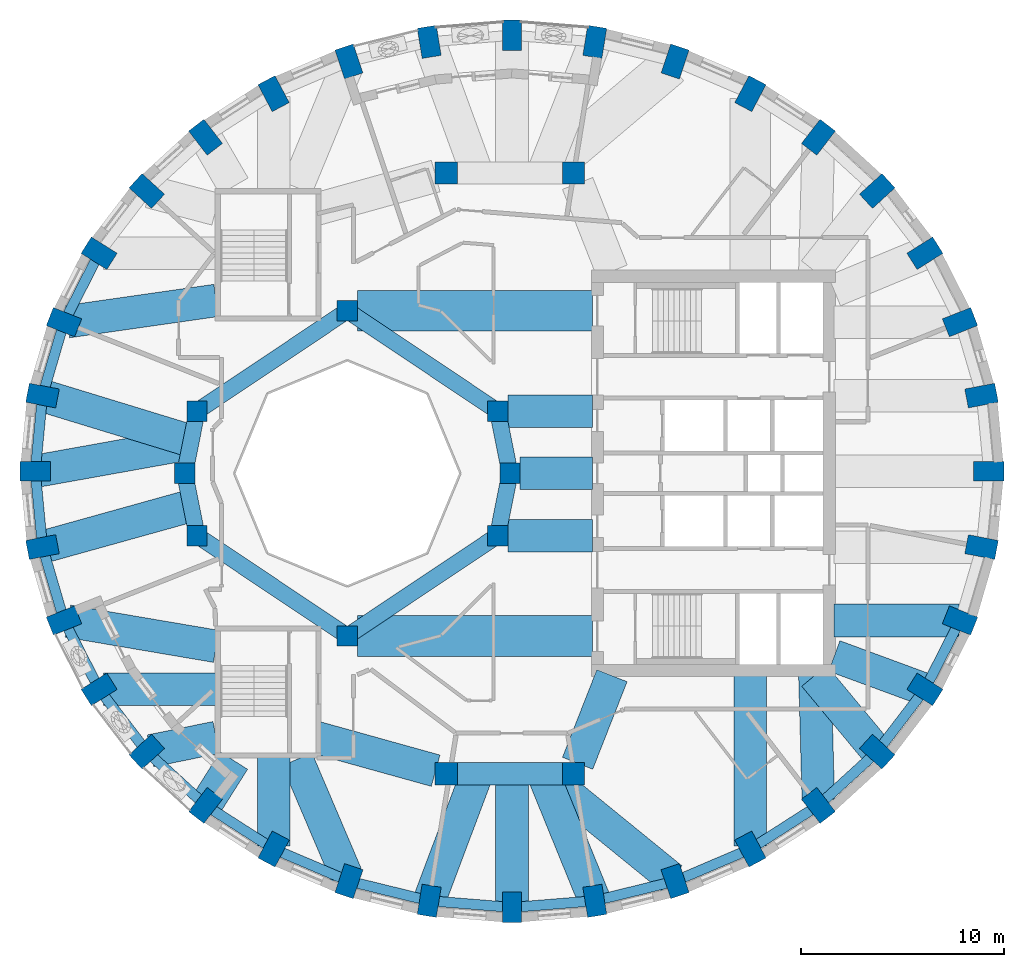
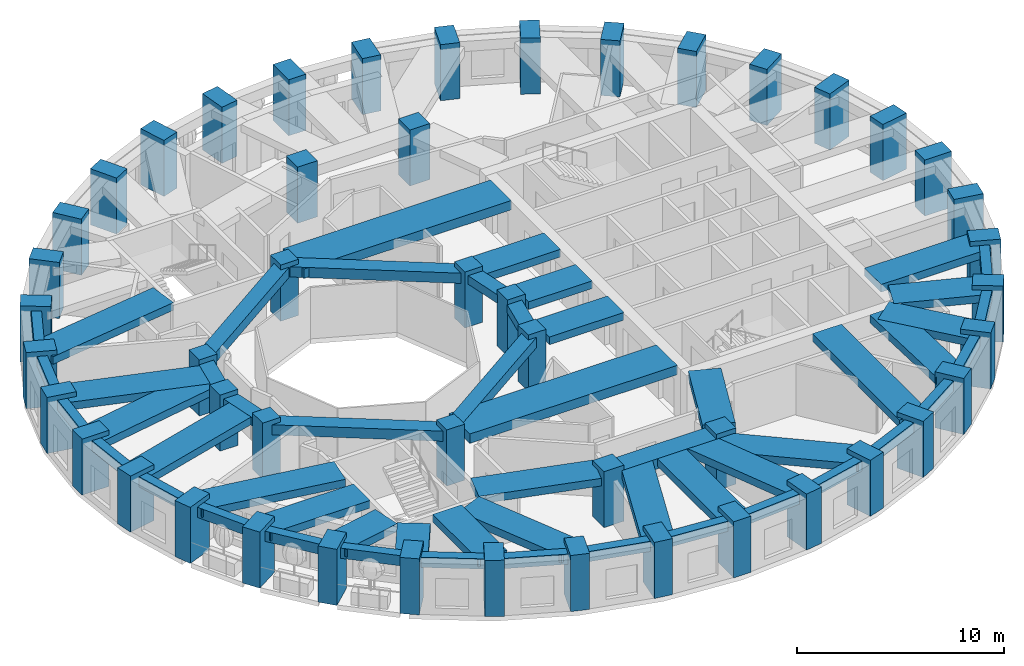
# One storey, part 1 of 11: 54 beams, 48 columns.
"""IFC4 building model written with IfcOpenShell, lengths in metres."""

from ifc_helpers import new_model, si_unit, direction, frame, origin, origin_2d, place, context, subcontext, project, spatial, rectangle, extrude, material, material_profile, profile_set, type_object, element, save


model = new_model("IFC4")

# Units and contexts
model_context = context("Model", 3, precision=1e-05, world=origin(), true_north=direction((0.0, 1.0)))
body_context = subcontext(model_context, "Body", "Model", "MODEL_VIEW")
ifc_project = project(units=[si_unit("LENGTHUNIT", "METRE"), si_unit("AREAUNIT", "SQUARE_METRE"), si_unit("VOLUMEUNIT", "CUBIC_METRE"), si_unit("PLANEANGLEUNIT", "RADIAN"), si_unit("MASSUNIT", "GRAM", prefix="KILO")], contexts=[model_context])

# Site, building, storey
site_placement = place(None, origin())
site = spatial("IfcSite", under=ifc_project, at=site_placement, CompositionType="ELEMENT")
building_placement = place(site_placement, origin())
building = spatial("IfcBuilding", under=site, at=building_placement, Name="Taillehof Tower", CompositionType="ELEMENT")
storey_placement = place(building_placement, frame((0.0, 0.0, 174.800048828125)))
storey = spatial("IfcBuildingStorey", under=building, at=storey_placement, Name="L49", CompositionType="ELEMENT", Elevation=174.800048828125)

# Columns
ifc_material_1 = material(Name="Concrete C50/60", Category="concrete")
ifc_material_profile_1 = material_profile(ifc_material_1, rectangle(XDim=1.0, YDim=1.0, at=origin_2d()), Name="RC 1000x1000")
ifc_profile_set_1 = profile_set([ifc_material_profile_1], Name="Concrete C50/60")
column_type_1 = type_object("IfcColumnType", Name="Atrium ring column C50/60 1000x1000", PredefinedType="COLUMN", material=ifc_profile_set_1)
for number, where, z_axis, x_axis, name in (
    (1, (0.0, 0.0, 0.0), (0.0, 0.0, 1.0), (1.0, 0.0, 0.0), "Column AC01"),
    (2, (-0.60888671875, 3.0615234375, 0.0), (0.0, 0.0, 1.0), (1.0, 0.0, 0.0), "Column AC02"),
    (3, (-8.0, 8.0, 0.0), (0.0, 0.0, 1.0), (1.0, 0.0, 0.0), "Column AC05"),
    (4, (-15.39111328125, 3.0615234375, 0.0), (0.0, 0.0, 1.0), (1.0, 0.0, 0.0), "Column AC08"),
    (5, (-16.0, 0.0, 0.0), (0.0, 0.0, 1.0), (1.0, 0.0, 0.0), "Column AC09"),
    (6, (-15.39111328125, -3.0615234375, 0.0), (0.0, 0.0, 1.0), (1.0, 0.0, 0.0), "Column AC10"),
    (7, (-8.0, -8.0, 0.0), (0.0, 0.0, 1.0), (1.0, 0.0, 0.0), "Column AC13"),
    (8, (-0.60888671875, -3.0615234375, 0.0), (0.0, 0.0, 1.0), (1.0, 0.0, 0.0), "Column AC16"),
):
    element("IfcColumn", number, at=place(storey_placement, frame(where, z_axis=z_axis, x_axis=x_axis)), inside=storey, type_object=column_type_1, Name=name, PredefinedType="COLUMN", context=body_context, shape_type="SweptSolid", body=[
        extrude(rectangle(XDim=1.0, YDim=1.0, at=origin_2d()), origin(), (0.0, 0.0, 1.0), 3.300048828125),
    ])
ifc_material_2 = material(Name="Concrete C50/60", Category="concrete")
ifc_material_profile_2 = material_profile(ifc_material_2, rectangle(XDim=1.10009765625, YDim=1.10009765625, at=origin_2d()), Name="RC 1100x1100")
ifc_profile_set_2 = profile_set([ifc_material_profile_2], Name="Concrete C50/60")
column_type_2 = type_object("IfcColumnType", Name="Mid-ring column C50/60 1100x1100", PredefinedType="COLUMN", material=ifc_profile_set_2)
for number, where, z_axis, x_axis, name in (
    (9, (3.125732421875, 14.772216796875, 0.0), (0.0, 0.0, 1.0), (1.0, 0.0, 0.0), "Column MC05"),
    (10, (-3.125732421875, 14.772216796875, 0.0), (0.0, 0.0, 1.0), (1.0, 0.0, 0.0), "Column MC06"),
    (11, (-3.125732421875, -14.772216796875, 0.0), (0.0, 0.0, 1.0), (1.0, 0.0, 0.0), "Column MC14"),
    (12, (3.125732421875, -14.772216796875, 0.0), (0.0, 0.0, 1.0), (1.0, 0.0, 0.0), "Column MC15"),
):
    element("IfcColumn", number, at=place(storey_placement, frame(where, z_axis=z_axis, x_axis=x_axis)), inside=storey, type_object=column_type_2, Name=name, PredefinedType="COLUMN", context=body_context, shape_type="SweptSolid", body=[
        extrude(rectangle(XDim=1.10009765625, YDim=1.10009765625, at=origin_2d()), origin(), (0.0, 0.0, 1.0), 3.300048828125),
    ])
ifc_material_3 = material(Name="Concrete C60/75", Category="concrete")
ifc_material_profile_3 = material_profile(ifc_material_3, rectangle(XDim=1.5, YDim=0.949951171875, at=origin_2d()), Name="RC 1500x950")
ifc_profile_set_3 = profile_set([ifc_material_profile_3], Name="Concrete C60/75")
column_type_3 = type_object("IfcColumnType", Name="Ring column C60/75 1500x950", PredefinedType="COLUMN", material=ifc_profile_set_3)
for number, where, z_axis, x_axis, name in (
    (13, (23.550048828125, 0.10009765625, 0.0), (0.0, 0.0, 1.0), (1.0, 0.0, 0.0), "Ring column RC01"),
    (14, (23.19384765625, 3.82470703125, 0.0), (0.0, 0.0, 1.0), (0.98202380309, 0.188757119508, 0.0), "Ring column RC02"),
    (15, (22.1357421875, 7.436279296875, 0.0), (0.0, 0.0, 1.0), (0.929511471762, 0.368793199317, 0.0), "Ring column RC03"),
    (16, (20.408203125, 10.824951171875, 0.0), (0.0, 0.0, 1.0), (0.846334224225, 0.532652213837, 0.0), "Ring column RC04"),
    (17, (18.063720703125, 13.8876953125, 0.0), (0.0, 0.0, 1.0), (0.7378786352, 0.674933418727, 0.0), "Ring column RC05"),
    (18, (15.17333984375, 16.53173828125, 0.0), (0.0, 0.0, 1.0), (0.609970500644, 0.792424121506, 0.0), "Ring column RC06"),
    (19, (11.824951171875, 18.67626953125, 0.0), (0.0, 0.0, 1.0), (0.468042101717, 0.883706167807, 0.0), "Ring column RC07"),
    (20, (8.120361328125, 20.25634765625, 0.0), (0.0, 0.0, 1.0), (0.316702950283, 0.948524771043, 0.0), "Ring column RC08"),
    (21, (4.172119140625, 21.22412109375, 0.0), (0.0, 0.0, 1.0), (0.159679090777, 0.987168976401, 0.0), "Ring column RC09"),
    (22, (0.10009765625, 21.550048828125, 0.0), (0.0, 0.0, 1.0), (0.0, 1.0, 0.0), "Ring column RC10"),
    (23, (-3.97216796875, 21.22412109375, 0.0), (0.0, 0.0, 1.0), (-0.159679090777, 0.987168976401, 0.0), "Ring column RC11"),
    (24, (-7.92041015625, 20.25634765625, 0.0), (0.0, 0.0, 1.0), (-0.316702950283, 0.948524771043, 0.0), "Ring column RC12"),
    (25, (-11.625, 18.67626953125, 0.0), (0.0, 0.0, 1.0), (-0.468042101717, 0.883706167807, 0.0), "Ring column RC13"),
    (26, (-14.973388671875, 16.53173828125, 0.0), (0.0, 0.0, 1.0), (-0.609970500644, 0.792424121506, 0.0), "Ring column RC14"),
    (27, (-17.86376953125, 13.8876953125, 0.0), (0.0, 0.0, 1.0), (-0.7378786352, 0.674933418727, 0.0), "Ring column RC15"),
    (28, (-20.208251953125, 10.824951171875, 0.0), (0.0, 0.0, 1.0), (-0.846334224225, 0.532652213837, 0.0), "Ring column RC16"),
    (29, (-21.935791015625, 7.436279296875, 0.0), (0.0, 0.0, 1.0), (-0.929511471762, 0.368793199317, 0.0), "Ring column RC17"),
    (30, (-22.99365234375, 3.82470703125, 0.0), (0.0, 0.0, 1.0), (-0.98202380309, 0.188757119508, 0.0), "Ring column RC18"),
    (31, (-23.35009765625, 0.10009765625, 0.0), (0.0, 0.0, 1.0), (-1.0, 0.0, 0.0), "Ring column RC19"),
    (32, (-22.99365234375, -3.624755859375, 0.0), (0.0, 0.0, 1.0), (-0.98202380309, -0.188757119508, 0.0), "Ring column RC20"),
    (33, (-21.935791015625, -7.236328125, 0.0), (0.0, 0.0, 1.0), (-0.929511471762, -0.368793199317, 0.0), "Ring column RC21"),
    (34, (-20.208251953125, -10.625, 0.0), (0.0, 0.0, 1.0), (-0.846334224225, -0.532652213837, 0.0), "Ring column RC22"),
    (35, (-17.86376953125, -13.687744140625, 0.0), (0.0, 0.0, 1.0), (-0.7378786352, -0.674933418727, 0.0), "Ring column RC23"),
    (36, (-14.973388671875, -16.33154296875, 0.0), (0.0, 0.0, 1.0), (-0.609970500644, -0.792424121506, 0.0), "Ring column RC24"),
    (37, (-11.625, -18.476318359375, 0.0), (0.0, 0.0, 1.0), (-0.468042101717, -0.883706167807, 0.0), "Ring column RC25"),
    (38, (-7.92041015625, -20.056396484375, 0.0), (0.0, 0.0, 1.0), (-0.316702950283, -0.948524771043, 0.0), "Ring column RC26"),
    (39, (-3.97216796875, -21.024169921875, 0.0), (0.0, 0.0, 1.0), (-0.159679090777, -0.987168976401, 0.0), "Ring column RC27"),
    (40, (0.10009765625, -21.35009765625, 0.0), (0.0, 0.0, 1.0), (0.0, -1.0, 0.0), "Ring column RC28"),
    (41, (4.172119140625, -21.024169921875, 0.0), (0.0, 0.0, 1.0), (0.159679090777, -0.987168976401, 0.0), "Ring column RC29"),
    (42, (8.120361328125, -20.056396484375, 0.0), (0.0, 0.0, 1.0), (0.316702950283, -0.948524771043, 0.0), "Ring column RC30"),
    (43, (11.824951171875, -18.476318359375, 0.0), (0.0, 0.0, 1.0), (0.468042101717, -0.883706167807, 0.0), "Ring column RC31"),
    (44, (15.17333984375, -16.33154296875, 0.0), (0.0, 0.0, 1.0), (0.609970500644, -0.792424121506, 0.0), "Ring column RC32"),
    (45, (18.063720703125, -13.687744140625, 0.0), (0.0, 0.0, 1.0), (0.7378786352, -0.674933418727, 0.0), "Ring column RC33"),
    (46, (20.408203125, -10.625, 0.0), (0.0, 0.0, 1.0), (0.846334224225, -0.532652213837, 0.0), "Ring column RC34"),
    (47, (22.1357421875, -7.236328125, 0.0), (0.0, 0.0, 1.0), (0.929511471762, -0.368793199317, 0.0), "Ring column RC35"),
    (48, (23.19384765625, -3.624755859375, 0.0), (0.0, 0.0, 1.0), (0.98202380309, -0.188757119508, 0.0), "Ring column RC36"),
):
    element("IfcColumn", number, at=place(storey_placement, frame(where, z_axis=z_axis, x_axis=x_axis)), inside=storey, type_object=column_type_3, Name=name, PredefinedType="COLUMN", context=body_context, shape_type="SweptSolid", body=[
        extrude(rectangle(XDim=1.5, YDim=0.949951171875, at=origin_2d()), origin(), (0.0, 0.0, 1.0), 3.300048828125),
    ])

# Beams
ifc_material_4 = material(Name="Concrete C50/60", Category="concrete")
ifc_material_profile_4 = material_profile(ifc_material_4, rectangle(XDim=0.800048828125, YDim=0.5, at=origin_2d()), Name="RC 800x500")
ifc_profile_set_4 = profile_set([ifc_material_profile_4], Name="Concrete C50/60")
beam_type_1 = type_object("IfcBeamType", Name="Atrium ring beam C50/60 800x500", PredefinedType="BEAM", material=ifc_profile_set_4)
for number, where, z_axis, x_axis, name in (
    (49, (0.0, 0.0, 2.77001953125), (-0.195063155143, 0.980790683839, 0.0), (-0.980790683839, -0.195063155143, 0.0), "Atrium ring beam AB01"),
    (50, (-15.39111328125, 3.0615234375, 2.77001953125), (-0.195063155143, -0.980790683839, 0.0), (0.980790683839, -0.195063155143, 0.0), "Atrium ring beam AB04"),
    (51, (-16.0, 0.0, 2.77001953125), (0.195063155143, -0.980790683839, 0.0), (0.980790683839, 0.195063155143, 0.0), "Atrium ring beam AB05"),
    (52, (-0.60888671875, -3.0615234375, 2.77001953125), (0.195063155143, 0.980790683839, 0.0), (-0.980790683839, 0.195063155143, 0.0), "Atrium ring beam AB08"),
):
    element("IfcBeam", number, at=place(storey_placement, frame(where, z_axis=z_axis, x_axis=x_axis)), inside=storey, type_object=beam_type_1, Name=name, PredefinedType="BEAM", context=body_context, shape_type="SweptSolid", body=[
        extrude(rectangle(XDim=0.800048828125, YDim=0.5, at=origin_2d()), origin(), (0.0, 0.0, 1.0), 3.12158203125),
    ])
ifc_material_5 = material(Name="Concrete C50/60", Category="concrete")
ifc_material_profile_5 = material_profile(ifc_material_5, rectangle(XDim=0.800048828125, YDim=0.60009765625, at=origin_2d()), Name="RC 800x600")
ifc_profile_set_5 = profile_set([ifc_material_profile_5], Name="Concrete C50/60")
beam_type_2 = type_object("IfcBeamType", Name="Atrium ring beam C50/60 800x600", PredefinedType="BEAM", material=ifc_profile_set_5)
for number, where, z_axis, x_axis, name in (
    (53, (-0.60888671875, 3.0615234375, 2.719970703125), (-0.831475195687, 0.555561876804, 0.0), (-0.555561876804, -0.831475195687, 0.0), "Atrium ring beam AB02"),
    (54, (-8.0, 8.0, 2.719970703125), (-0.831475195687, -0.555561876804, 0.0), (0.555561876804, -0.831475195687, 0.0), "Atrium ring beam AB03"),
    (55, (-15.39111328125, -3.0615234375, 2.719970703125), (0.831475195687, -0.555561876804, 0.0), (0.555561876804, 0.831475195687, 0.0), "Atrium ring beam AB06"),
    (56, (-8.0, -8.0, 2.719970703125), (0.831475195687, 0.555561876804, 0.0), (-0.555561876804, 0.831475195687, 0.0), "Atrium ring beam AB07"),
):
    element("IfcBeam", number, at=place(storey_placement, frame(where, z_axis=z_axis, x_axis=x_axis)), inside=storey, type_object=beam_type_2, Name=name, PredefinedType="BEAM", context=body_context, shape_type="SweptSolid", body=[
        extrude(rectangle(XDim=0.800048828125, YDim=0.60009765625, at=origin_2d()), origin(), (0.0, 0.0, 1.0), 8.88916015625),
    ])
ifc_material_6 = material(Name="Concrete C50/60", Category="concrete")
ifc_material_profile_6 = material_profile(ifc_material_6, rectangle(XDim=1.10009765625, YDim=0.60009765625, at=origin_2d()), Name="RC 1100x600")
ifc_profile_set_6 = profile_set([ifc_material_profile_6], Name="Concrete C50/60")
beam_type_3 = type_object("IfcBeamType", Name="Mid-ring beam C50/60 1100x600", PredefinedType="BEAM", material=ifc_profile_set_6)
beam_1_placement = place(storey_placement, frame((-3.125732421875, -14.772216796875, 2.719970703125), z_axis=(1.0, 0.0, 0.0), x_axis=(0.0, 1.0, 0.0)))
element("IfcBeam", 57, at=beam_1_placement, inside=storey, type_object=beam_type_3, Name="Mid-ring beam MB02", PredefinedType="BEAM", context=body_context, shape_type="SweptSolid", body=[
    extrude(rectangle(XDim=1.10009765625, YDim=0.60009765625, at=origin_2d()), origin(), (0.0, 0.0, 1.0), 6.25146484375),
])
ifc_material_7 = material(Name="Concrete C50/60", Category="concrete")
ifc_material_profile_7 = material_profile(ifc_material_7, rectangle(XDim=1.60009765625, YDim=0.449951171875, at=origin_2d()), Name="RC 1600x450")
ifc_profile_set_7 = profile_set([ifc_material_profile_7], Name="Concrete C50/60")
beam_type_4 = type_object("IfcBeamType", Name="Radial band beam C50/60 1600x450", PredefinedType="BEAM", material=ifc_profile_set_7)
beam_2_placement = place(storey_placement, frame((-21.766845703125, 7.46044921875, 2.794921875), z_axis=(0.989922388732, 0.141610961042, 0.0), x_axis=(-0.141610961042, 0.989922388732, 0.0)))
element("IfcBeam", 58, at=beam_2_placement, inside=storey, type_object=beam_type_4, Name="Radial band beam RB17", PredefinedType="BEAM", context=body_context, shape_type="SweptSolid", body=[
    extrude(rectangle(XDim=1.60009765625, YDim=0.449951171875, at=origin_2d()), origin(), (0.0, 0.0, 1.0), 7.390869140625),
])
beam_3_placement = place(storey_placement, frame((-22.99365234375, 3.82470703125, 2.794921875), z_axis=(0.956324293447, -0.292307792854, 0.0), x_axis=(0.292307792854, 0.956324293447, 0.0)))
element("IfcBeam", 59, at=beam_3_placement, inside=storey, type_object=beam_type_4, Name="Radial band beam RB18", PredefinedType="BEAM", context=body_context, shape_type="SweptSolid", body=[
    extrude(rectangle(XDim=1.60009765625, YDim=0.449951171875, at=origin_2d()), origin(), (0.0, 0.0, 1.0), 7.643798828125),
])
beam_4_placement = place(storey_placement, frame((-23.35009765625, 0.10009765625, 2.794921875), z_axis=(0.984286763882, 0.176577366745, 0.0), x_axis=(-0.176577366745, 0.984286763882, 0.0)))
element("IfcBeam", 60, at=beam_4_placement, inside=storey, type_object=beam_type_4, Name="Radial band beam RB19", PredefinedType="BEAM", context=body_context, shape_type="SweptSolid", body=[
    extrude(rectangle(XDim=1.60009765625, YDim=0.449951171875, at=origin_2d()), origin(), (0.0, 0.0, 1.0), 7.764892578125),
])
beam_5_placement = place(storey_placement, frame((-22.99365234375, -3.624755859375, 2.794921875), z_axis=(0.96338688135, 0.268115118639, 0.0), x_axis=(-0.268115118639, 0.96338688135, 0.0)))
element("IfcBeam", 61, at=beam_5_placement, inside=storey, type_object=beam_type_4, Name="Radial band beam RB20", PredefinedType="BEAM", context=body_context, shape_type="SweptSolid", body=[
    extrude(rectangle(XDim=1.60009765625, YDim=0.449951171875, at=origin_2d()), origin(), (0.0, 0.0, 1.0), 7.587890625),
])
beam_6_placement = place(storey_placement, frame((-21.744140625, -7.268798828125, 2.794921875), z_axis=(0.985864460395, -0.167544817079, 0.0), x_axis=(0.167544817079, 0.985864460395, 0.0)))
element("IfcBeam", 62, at=beam_6_placement, inside=storey, type_object=beam_type_4, Name="Radial band beam RB21", PredefinedType="BEAM", context=body_context, shape_type="SweptSolid", body=[
    extrude(rectangle(XDim=1.60009765625, YDim=0.449951171875, at=origin_2d()), origin(), (0.0, 0.0, 1.0), 7.39794921875),
])
beam_7_placement = place(storey_placement, frame((-19.9990234375, -10.625, 2.794921875), z_axis=(1.0, 0.0, 0.0), x_axis=(0.0, 1.0, 0.0)))
element("IfcBeam", 63, at=beam_7_placement, inside=storey, type_object=beam_type_4, Name="Radial band beam RB22", PredefinedType="BEAM", context=body_context, shape_type="SweptSolid", body=[
    extrude(rectangle(XDim=1.60009765625, YDim=0.449951171875, at=origin_2d()), origin(), (0.0, 0.0, 1.0), 5.549072265625),
])
beam_8_placement = place(storey_placement, frame((-17.678955078125, -13.64990234375, 2.794921875), z_axis=(0.979736748385, 0.200289550059, 0.0), x_axis=(-0.200289550059, 0.979736748385, 0.0)))
element("IfcBeam", 64, at=beam_8_placement, inside=storey, type_object=beam_type_4, Name="Radial band beam RB23", PredefinedType="BEAM", context=body_context, shape_type="SweptSolid", body=[
    extrude(rectangle(XDim=1.60009765625, YDim=0.449951171875, at=origin_2d()), origin(), (0.0, 0.0, 1.0), 3.294677734375),
])
beam_9_placement = place(storey_placement, frame((-14.973388671875, -16.33154296875, 2.794921875), z_axis=(0.534207803896, 0.845353193794, 0.0), x_axis=(-0.845353193794, 0.534207803896, 0.0)))
element("IfcBeam", 65, at=beam_9_placement, inside=storey, type_object=beam_type_4, Name="Radial band beam RB24", PredefinedType="BEAM", context=body_context, shape_type="SweptSolid", body=[
    extrude(rectangle(XDim=1.60009765625, YDim=0.449951171875, at=origin_2d()), origin(), (0.0, 0.0, 1.0), 2.608154296875),
])
beam_10_placement = place(storey_placement, frame((-11.625, -18.33642578125, 2.794921875), z_axis=(0.0, 1.0, 0.0), x_axis=(-1.0, 0.0, 0.0)))
element("IfcBeam", 66, at=beam_10_placement, inside=storey, type_object=beam_type_4, Name="Radial band beam RB25", PredefinedType="BEAM", context=body_context, shape_type="SweptSolid", body=[
    extrude(rectangle(XDim=1.60009765625, YDim=0.449951171875, at=origin_2d()), origin(), (0.0, 0.0, 1.0), 4.386474609375),
])
beam_11_placement = place(storey_placement, frame((-8.049072265625, -19.75390625, 2.794921875), z_axis=(-0.391879389257, 0.9200166, 0.0), x_axis=(-0.9200166, -0.391879389257, 0.0)))
element("IfcBeam", 67, at=beam_11_placement, inside=storey, type_object=beam_type_4, Name="Radial band beam RB26", PredefinedType="BEAM", context=body_context, shape_type="SweptSolid", body=[
    extrude(rectangle(XDim=1.60009765625, YDim=0.449951171875, at=origin_2d()), origin(), (0.0, 0.0, 1.0), 6.18505859375),
])
beam_12_placement = place(storey_placement, frame((-3.97216796875, -21.024169921875, 2.794921875), z_axis=(0.351379850477, 0.936232984186, 0.0), x_axis=(-0.936232984186, 0.351379850477, 0.0)))
element("IfcBeam", 68, at=beam_12_placement, inside=storey, type_object=beam_type_4, Name="Radial band beam RB27", PredefinedType="BEAM", context=body_context, shape_type="SweptSolid", body=[
    extrude(rectangle(XDim=1.60009765625, YDim=0.449951171875, at=origin_2d()), origin(), (0.0, 0.0, 1.0), 6.677734375),
])
beam_13_placement = place(storey_placement, frame((0.10009765625, -21.35009765625, 2.794921875), z_axis=(0.0, 1.0, 0.0), x_axis=(-1.0, 0.0, 0.0)))
element("IfcBeam", 69, at=beam_13_placement, inside=storey, type_object=beam_type_4, Name="Radial band beam RB28", PredefinedType="BEAM", context=body_context, shape_type="SweptSolid", body=[
    extrude(rectangle(XDim=1.60009765625, YDim=0.449951171875, at=origin_2d()), origin(), (0.0, 0.0, 1.0), 6.577880859375),
])
beam_14_placement = place(storey_placement, frame((4.172119140625, -21.024169921875, 2.794921875), z_axis=(-0.377207279938, 0.926128861424, 0.0), x_axis=(-0.926128861424, -0.377207279938, 0.0)))
element("IfcBeam", 70, at=beam_14_placement, inside=storey, type_object=beam_type_4, Name="Radial band beam RB29", PredefinedType="BEAM", context=body_context, shape_type="SweptSolid", body=[
    extrude(rectangle(XDim=1.60009765625, YDim=0.449951171875, at=origin_2d()), origin(), (0.0, 0.0, 1.0), 6.750732421875),
])
beam_15_placement = place(storey_placement, frame((7.95556640625, -19.92236328125, 2.794921875), z_axis=(-0.775687012842, 0.631117784655, 0.0), x_axis=(-0.631117784655, -0.775687012842, 0.0)))
element("IfcBeam", 71, at=beam_15_placement, inside=storey, type_object=beam_type_4, Name="Radial band beam RB30", PredefinedType="BEAM", context=body_context, shape_type="SweptSolid", body=[
    extrude(rectangle(XDim=1.60009765625, YDim=0.449951171875, at=origin_2d()), origin(), (0.0, 0.0, 1.0), 8.048583984375),
])
beam_16_placement = place(storey_placement, frame((11.824951171875, -18.33642578125, 2.794921875), z_axis=(0.0, 1.0, 0.0), x_axis=(-1.0, 0.0, 0.0)))
element("IfcBeam", 72, at=beam_16_placement, inside=storey, type_object=beam_type_4, Name="Radial band beam RB31", PredefinedType="BEAM", context=body_context, shape_type="SweptSolid", body=[
    extrude(rectangle(XDim=1.60009765625, YDim=0.449951171875, at=origin_2d()), origin(), (0.0, 0.0, 1.0), 8.386474609375),
])
beam_17_placement = place(storey_placement, frame((15.166015625, -16.060546875, 2.794921875), z_axis=(-0.027397917621, 0.999624606595, 0.0), x_axis=(-0.999624606595, -0.027397917621, 0.0)))
element("IfcBeam", 73, at=beam_17_placement, inside=storey, type_object=beam_type_4, Name="Radial band beam RB32", PredefinedType="BEAM", context=body_context, shape_type="SweptSolid", body=[
    extrude(rectangle(XDim=1.60009765625, YDim=0.449951171875, at=origin_2d()), origin(), (0.0, 0.0, 1.0), 6.11279296875),
])
beam_18_placement = place(storey_placement, frame((18.063720703125, -13.687744140625, 2.794921875), z_axis=(-0.639018777093, 0.769191135234, 0.0), x_axis=(-0.769191135234, -0.639018777093, 0.0)))
element("IfcBeam", 74, at=beam_18_placement, inside=storey, type_object=beam_type_4, Name="Radial band beam RB33", PredefinedType="BEAM", context=body_context, shape_type="SweptSolid", body=[
    extrude(rectangle(XDim=1.60009765625, YDim=0.449951171875, at=origin_2d()), origin(), (0.0, 0.0, 1.0), 4.844482421875),
])
beam_19_placement = place(storey_placement, frame((20.408203125, -10.625, 2.794921875), z_axis=(-0.938275503033, 0.345888826661, 0.0), x_axis=(-0.345888826661, -0.938275503033, 0.0)))
element("IfcBeam", 75, at=beam_19_placement, inside=storey, type_object=beam_type_4, Name="Radial band beam RB34", PredefinedType="BEAM", context=body_context, shape_type="SweptSolid", body=[
    extrude(rectangle(XDim=1.60009765625, YDim=0.449951171875, at=origin_2d()), origin(), (0.0, 0.0, 1.0), 4.748046875),
])
beam_20_placement = place(storey_placement, frame((22.08642578125, -7.236328125, 2.794921875), z_axis=(-1.0, 0.0, 0.0), x_axis=(0.0, -1.0, 0.0)))
element("IfcBeam", 76, at=beam_20_placement, inside=storey, type_object=beam_type_4, Name="Radial band beam RB35", PredefinedType="BEAM", context=body_context, shape_type="SweptSolid", body=[
    extrude(rectangle(XDim=1.60009765625, YDim=0.449951171875, at=origin_2d()), origin(), (0.0, 0.0, 1.0), 6.136474609375),
])
beam_21_placement = place(storey_placement, frame((0.5, 0.0, 2.794921875), z_axis=(1.0, 0.0, 0.0), x_axis=(0.0, 1.0, 0.0)))
element("IfcBeam", 77, at=beam_21_placement, inside=storey, type_object=beam_type_4, Name="Inner band beam IB101", PredefinedType="BEAM", context=body_context, shape_type="SweptSolid", body=[
    extrude(rectangle(XDim=1.60009765625, YDim=0.449951171875, at=origin_2d()), origin(), (0.0, 0.0, 1.0), 3.550048828125),
])
for number, where, z_axis, x_axis, name in (
    (78, (-0.10888671875, 3.0615234375, 2.794921875), (1.0, 0.0, 0.0), (0.0, 1.0, 0.0), "Inner band beam IB102"),
    (79, (-0.10888671875, -3.0615234375, 2.794921875), (1.0, 0.0, 0.0), (0.0, 1.0, 0.0), "Inner band beam IB116"),
):
    element("IfcBeam", number, at=place(storey_placement, frame(where, z_axis=z_axis, x_axis=x_axis)), inside=storey, type_object=beam_type_4, Name=name, PredefinedType="BEAM", context=body_context, shape_type="SweptSolid", body=[
        extrude(rectangle(XDim=1.60009765625, YDim=0.449951171875, at=origin_2d()), origin(), (0.0, 0.0, 1.0), 4.158935546875),
    ])
beam_22_placement = place(storey_placement, frame((-3.655517578125, -14.624755859375, 2.794921875), z_axis=(-0.963459369536, 0.267854518821, 0.0), x_axis=(-0.267854518821, -0.963459369536, 0.0)))
element("IfcBeam", 80, at=beam_22_placement, inside=storey, type_object=beam_type_4, Name="Inner band beam IB214", PredefinedType="BEAM", context=body_context, shape_type="SweptSolid", body=[
    extrude(rectangle(XDim=1.60009765625, YDim=0.449951171875, at=origin_2d()), origin(), (0.0, 0.0, 1.0), 6.096923828125),
])
beam_23_placement = place(storey_placement, frame((3.32666015625, -14.26025390625, 2.794921875), z_axis=(0.365588707223, 0.930776502255, 0.0), x_axis=(-0.930776502255, 0.365588707223, 0.0)))
element("IfcBeam", 81, at=beam_23_placement, inside=storey, type_object=beam_type_4, Name="Inner band beam IB215", PredefinedType="BEAM", context=body_context, shape_type="SweptSolid", body=[
    extrude(rectangle(XDim=1.60009765625, YDim=0.449951171875, at=origin_2d()), origin(), (0.0, 0.0, 1.0), 4.627197265625),
])
ifc_material_8 = material(Name="Concrete C50/60", Category="concrete")
ifc_material_profile_8 = material_profile(ifc_material_8, rectangle(XDim=2.0, YDim=0.550048828125, at=origin_2d()), Name="RC 2000x550")
ifc_profile_set_8 = profile_set([ifc_material_profile_8], Name="Concrete C50/60")
beam_type_5 = type_object("IfcBeamType", Name="Radial band beam C50/60 2000x550", PredefinedType="BEAM", material=ifc_profile_set_8)
for number, where, z_axis, x_axis, name in (
    (82, (-7.5, 8.0, 2.744873046875), (1.0, 0.0, 0.0), (0.0, 1.0, 0.0), "Inner band beam IB105"),
    (83, (-7.5, -8.0, 2.744873046875), (1.0, 0.0, 0.0), (0.0, 1.0, 0.0), "Inner band beam IB113"),
):
    element("IfcBeam", number, at=place(storey_placement, frame(where, z_axis=z_axis, x_axis=x_axis)), inside=storey, type_object=beam_type_5, Name=name, PredefinedType="BEAM", context=body_context, shape_type="SweptSolid", body=[
        extrude(rectangle(XDim=2.0, YDim=0.550048828125, at=origin_2d()), origin(), (0.0, 0.0, 1.0), 11.550048828125),
    ])
ifc_material_9 = material(Name="Concrete C50/60", Category="concrete")
ifc_material_profile_9 = material_profile(ifc_material_9, rectangle(XDim=0.5, YDim=0.60009765625, at=origin_2d()), Name="RC 500x600")
ifc_profile_set_9 = profile_set([ifc_material_profile_9], Name="Concrete C50/60")
beam_type_6 = type_object("IfcBeamType", Name="Spandrel beam C50/60 500x600", PredefinedType="SPANDREL", material=ifc_profile_set_9)
beam_24_placement = place(storey_placement, frame((-20.208251953125, 10.824951171875, 2.719970703125), z_axis=(-0.454183451696, -0.890908183937, 0.0), x_axis=(0.890908183937, -0.454183451696, 0.0)))
element("IfcBeam", 84, at=beam_24_placement, inside=storey, type_object=beam_type_6, Name="Spandrel beam SB16", PredefinedType="SPANDREL", context=body_context, shape_type="SweptSolid", body=[
    extrude(rectangle(XDim=0.5, YDim=0.60009765625, at=origin_2d()), origin(), (0.0, 0.0, 1.0), 3.8037109375),
])
beam_25_placement = place(storey_placement, frame((-21.935791015625, 7.436279296875, 2.719970703125), z_axis=(-0.281098416478, -0.959678946447, 0.0), x_axis=(0.959678946447, -0.281098416478, 0.0)))
element("IfcBeam", 85, at=beam_25_placement, inside=storey, type_object=beam_type_6, Name="Spandrel beam SB17", PredefinedType="SPANDREL", context=body_context, shape_type="SweptSolid", body=[
    extrude(rectangle(XDim=0.5, YDim=0.60009765625, at=origin_2d()), origin(), (0.0, 0.0, 1.0), 3.763427734375),
])
beam_26_placement = place(storey_placement, frame((-22.99365234375, 3.82470703125, 2.719970703125), z_axis=(-0.095264805358, -0.995451966124, 0.0), x_axis=(0.995451966124, -0.095264805358, 0.0)))
element("IfcBeam", 86, at=beam_26_placement, inside=storey, type_object=beam_type_6, Name="Spandrel beam SB18", PredefinedType="SPANDREL", context=body_context, shape_type="SweptSolid", body=[
    extrude(rectangle(XDim=0.5, YDim=0.60009765625, at=origin_2d()), origin(), (0.0, 0.0, 1.0), 3.74169921875),
])
beam_27_placement = place(storey_placement, frame((-23.35009765625, 0.10009765625, 2.719970703125), z_axis=(0.095258618013, -0.995452558234, 0.0), x_axis=(0.995452558234, 0.095258618013, 0.0)))
element("IfcBeam", 87, at=beam_27_placement, inside=storey, type_object=beam_type_6, Name="Spandrel beam SB19", PredefinedType="SPANDREL", context=body_context, shape_type="SweptSolid", body=[
    extrude(rectangle(XDim=0.5, YDim=0.60009765625, at=origin_2d()), origin(), (0.0, 0.0, 1.0), 3.741943359375),
])
beam_28_placement = place(storey_placement, frame((-22.99365234375, -3.624755859375, 2.719970703125), z_axis=(0.281098416478, -0.959678946447, 0.0), x_axis=(0.959678946447, 0.281098416478, 0.0)))
element("IfcBeam", 88, at=beam_28_placement, inside=storey, type_object=beam_type_6, Name="Spandrel beam SB20", PredefinedType="SPANDREL", context=body_context, shape_type="SweptSolid", body=[
    extrude(rectangle(XDim=0.5, YDim=0.60009765625, at=origin_2d()), origin(), (0.0, 0.0, 1.0), 3.763427734375),
])
beam_29_placement = place(storey_placement, frame((-21.935791015625, -7.236328125, 2.719970703125), z_axis=(0.454183451696, -0.890908183937, 0.0), x_axis=(0.890908183937, 0.454183451696, 0.0)))
element("IfcBeam", 89, at=beam_29_placement, inside=storey, type_object=beam_type_6, Name="Spandrel beam SB21", PredefinedType="SPANDREL", context=body_context, shape_type="SweptSolid", body=[
    extrude(rectangle(XDim=0.5, YDim=0.60009765625, at=origin_2d()), origin(), (0.0, 0.0, 1.0), 3.8037109375),
])
beam_30_placement = place(storey_placement, frame((-20.208251953125, -10.625, 2.719970703125), z_axis=(0.60784004271, -0.794059495553, 0.0), x_axis=(0.794059495553, 0.60784004271, 0.0)))
element("IfcBeam", 90, at=beam_30_placement, inside=storey, type_object=beam_type_6, Name="Spandrel beam SB22", PredefinedType="SPANDREL", context=body_context, shape_type="SweptSolid", body=[
    extrude(rectangle(XDim=0.5, YDim=0.60009765625, at=origin_2d()), origin(), (0.0, 0.0, 1.0), 3.857177734375),
])
beam_31_placement = place(storey_placement, frame((-17.86376953125, -13.687744140625, 2.719970703125), z_axis=(0.737880696592, -0.674931165081, 0.0), x_axis=(0.674931165081, 0.737880696592, 0.0)))
element("IfcBeam", 91, at=beam_31_placement, inside=storey, type_object=beam_type_6, Name="Spandrel beam SB23", PredefinedType="SPANDREL", context=body_context, shape_type="SweptSolid", body=[
    extrude(rectangle(XDim=0.5, YDim=0.60009765625, at=origin_2d()), origin(), (0.0, 0.0, 1.0), 3.917236328125),
])
beam_32_placement = place(storey_placement, frame((-14.973388671875, -16.33154296875, 2.719970703125), z_axis=(0.842065054946, -0.539375975771, 0.0), x_axis=(0.539375975771, 0.842065054946, 0.0)))
element("IfcBeam", 92, at=beam_32_placement, inside=storey, type_object=beam_type_6, Name="Spandrel beam SB24", PredefinedType="SPANDREL", context=body_context, shape_type="SweptSolid", body=[
    extrude(rectangle(XDim=0.5, YDim=0.60009765625, at=origin_2d()), origin(), (0.0, 0.0, 1.0), 3.976318359375),
])
beam_33_placement = place(storey_placement, frame((-11.625, -18.476318359375, 2.719970703125), z_axis=(0.919827173659, -0.392323808351, 0.0), x_axis=(0.392323808351, 0.919827173659, 0.0)))
element("IfcBeam", 93, at=beam_33_placement, inside=storey, type_object=beam_type_6, Name="Spandrel beam SB25", PredefinedType="SPANDREL", context=body_context, shape_type="SweptSolid", body=[
    extrude(rectangle(XDim=0.5, YDim=0.60009765625, at=origin_2d()), origin(), (0.0, 0.0, 1.0), 4.027587890625),
])
beam_34_placement = place(storey_placement, frame((-7.92041015625, -20.056396484375, 2.719970703125), z_axis=(0.971248584585, -0.238067610023, 0.0), x_axis=(0.238067610023, 0.971248584585, 0.0)))
element("IfcBeam", 94, at=beam_34_placement, inside=storey, type_object=beam_type_6, Name="Spandrel beam SB26", PredefinedType="SPANDREL", context=body_context, shape_type="SweptSolid", body=[
    extrude(rectangle(XDim=0.5, YDim=0.60009765625, at=origin_2d()), origin(), (0.0, 0.0, 1.0), 4.065185546875),
])
beam_35_placement = place(storey_placement, frame((-3.97216796875, -21.024169921875, 2.719970703125), z_axis=(0.996812427616, -0.079780850771, 0.0), x_axis=(0.079780850771, 0.996812427616, 0.0)))
element("IfcBeam", 95, at=beam_35_placement, inside=storey, type_object=beam_type_6, Name="Spandrel beam SB27", PredefinedType="SPANDREL", context=body_context, shape_type="SweptSolid", body=[
    extrude(rectangle(XDim=0.5, YDim=0.60009765625, at=origin_2d()), origin(), (0.0, 0.0, 1.0), 4.085205078125),
])
beam_36_placement = place(storey_placement, frame((0.10009765625, -21.35009765625, 2.719970703125), z_axis=(0.996812047205, 0.079785603634, 0.0), x_axis=(-0.079785603634, 0.996812047205, 0.0)))
element("IfcBeam", 96, at=beam_36_placement, inside=storey, type_object=beam_type_6, Name="Spandrel beam SB28", PredefinedType="SPANDREL", context=body_context, shape_type="SweptSolid", body=[
    extrude(rectangle(XDim=0.5, YDim=0.60009765625, at=origin_2d()), origin(), (0.0, 0.0, 1.0), 4.0849609375),
])
beam_37_placement = place(storey_placement, frame((4.172119140625, -21.024169921875, 2.719970703125), z_axis=(0.971248584585, 0.238067610023, 0.0), x_axis=(-0.238067610023, 0.971248584585, 0.0)))
element("IfcBeam", 97, at=beam_37_placement, inside=storey, type_object=beam_type_6, Name="Spandrel beam SB29", PredefinedType="SPANDREL", context=body_context, shape_type="SweptSolid", body=[
    extrude(rectangle(XDim=0.5, YDim=0.60009765625, at=origin_2d()), origin(), (0.0, 0.0, 1.0), 4.065185546875),
])
beam_38_placement = place(storey_placement, frame((8.120361328125, -20.056396484375, 2.719970703125), z_axis=(0.919827173659, 0.392323808351, 0.0), x_axis=(-0.392323808351, 0.919827173659, 0.0)))
element("IfcBeam", 98, at=beam_38_placement, inside=storey, type_object=beam_type_6, Name="Spandrel beam SB30", PredefinedType="SPANDREL", context=body_context, shape_type="SweptSolid", body=[
    extrude(rectangle(XDim=0.5, YDim=0.60009765625, at=origin_2d()), origin(), (0.0, 0.0, 1.0), 4.027587890625),
])
beam_39_placement = place(storey_placement, frame((11.824951171875, -18.476318359375, 2.719970703125), z_axis=(0.842065054946, 0.539375975771, 0.0), x_axis=(-0.539375975771, 0.842065054946, 0.0)))
element("IfcBeam", 99, at=beam_39_placement, inside=storey, type_object=beam_type_6, Name="Spandrel beam SB31", PredefinedType="SPANDREL", context=body_context, shape_type="SweptSolid", body=[
    extrude(rectangle(XDim=0.5, YDim=0.60009765625, at=origin_2d()), origin(), (0.0, 0.0, 1.0), 3.976318359375),
])
beam_40_placement = place(storey_placement, frame((15.17333984375, -16.33154296875, 2.719970703125), z_axis=(0.737880696592, 0.674931165081, 0.0), x_axis=(-0.674931165081, 0.737880696592, 0.0)))
element("IfcBeam", 100, at=beam_40_placement, inside=storey, type_object=beam_type_6, Name="Spandrel beam SB32", PredefinedType="SPANDREL", context=body_context, shape_type="SweptSolid", body=[
    extrude(rectangle(XDim=0.5, YDim=0.60009765625, at=origin_2d()), origin(), (0.0, 0.0, 1.0), 3.917236328125),
])
beam_41_placement = place(storey_placement, frame((18.063720703125, -13.687744140625, 2.719970703125), z_axis=(0.60784004271, 0.794059495553, 0.0), x_axis=(-0.794059495553, 0.60784004271, 0.0)))
element("IfcBeam", 101, at=beam_41_placement, inside=storey, type_object=beam_type_6, Name="Spandrel beam SB33", PredefinedType="SPANDREL", context=body_context, shape_type="SweptSolid", body=[
    extrude(rectangle(XDim=0.5, YDim=0.60009765625, at=origin_2d()), origin(), (0.0, 0.0, 1.0), 3.857177734375),
])
beam_42_placement = place(storey_placement, frame((20.408203125, -10.625, 2.719970703125), z_axis=(0.454183451696, 0.890908183937, 0.0), x_axis=(-0.890908183937, 0.454183451696, 0.0)))
element("IfcBeam", 102, at=beam_42_placement, inside=storey, type_object=beam_type_6, Name="Spandrel beam SB34", PredefinedType="SPANDREL", context=body_context, shape_type="SweptSolid", body=[
    extrude(rectangle(XDim=0.5, YDim=0.60009765625, at=origin_2d()), origin(), (0.0, 0.0, 1.0), 3.8037109375),
])

save(model, "model.ifc")
